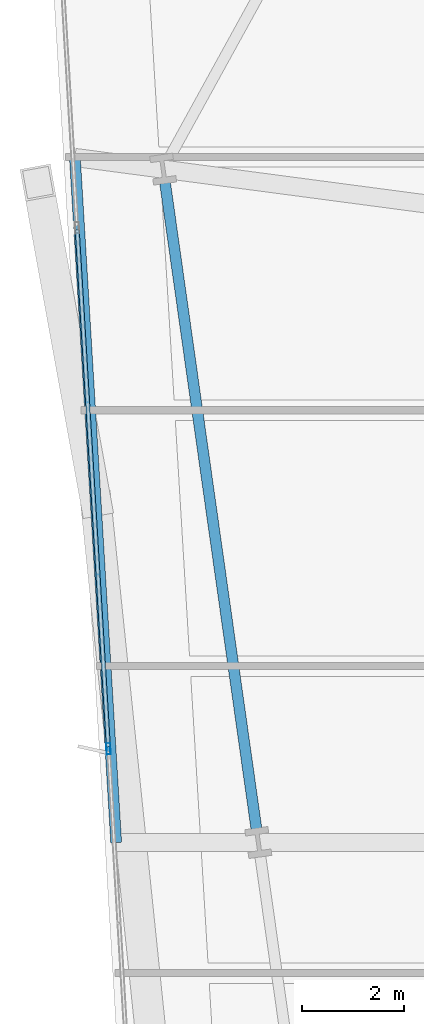
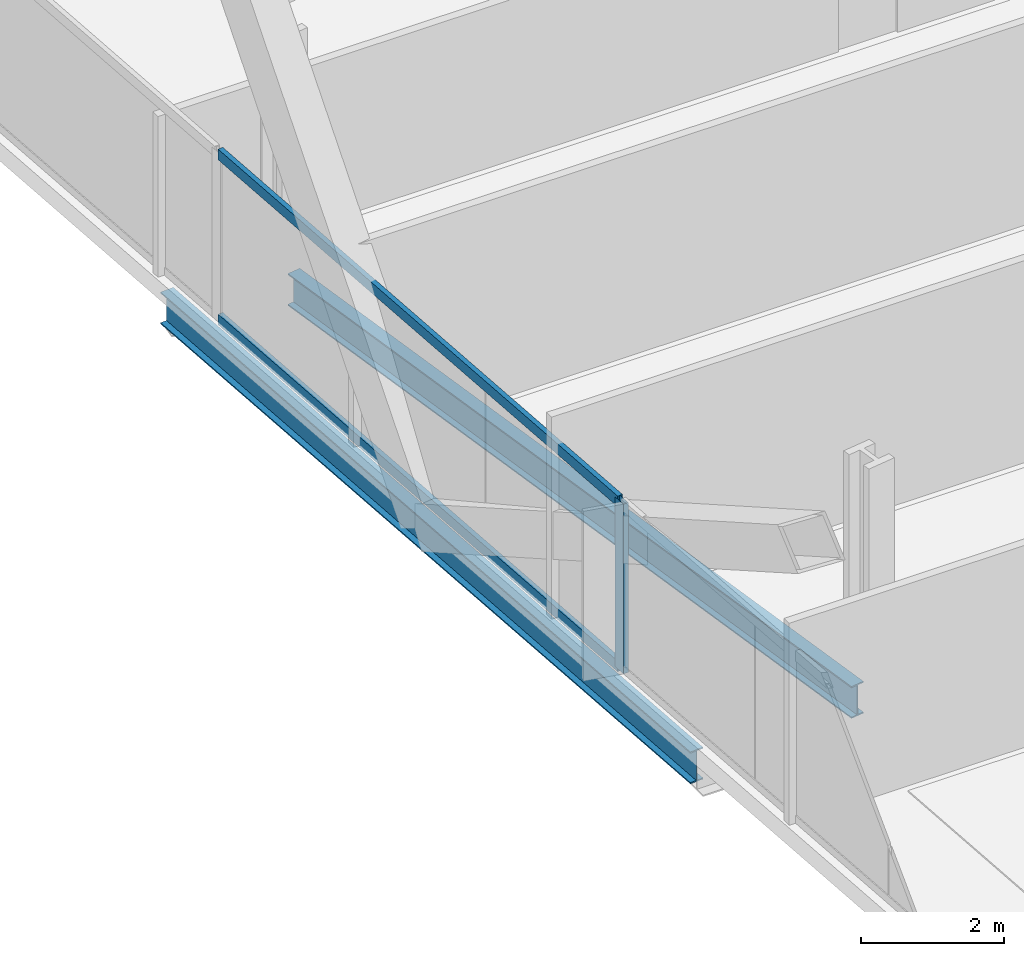
# One storey, part 7 of 34: 3 members, 2 beams, 1 element without a shape of its own.
"""IFC4 building model written with IfcOpenShell, lengths in metres."""

import ifcopenshell
import ifcopenshell.guid

model = None  # the IFC model being written
_history = None  # IfcOwnerHistory: only IFC2X3 demands one
_inside = {}  # id of a spatial element -> (the spatial element, [elements in it])
_under = {}  # id of a project, library or spatial element -> (it, [spatial elements below it])
_declared = {}  # id of a project -> (the project, [libraries it declares])
_typed = {}  # id of a type object -> (the type object, [elements of that type])
_made_of = {}  # id of a material, layer set ... -> (it, [elements and type objects made of it])


def new_model(schema):
    """Start an empty IFC model of exactly this schema.

    Asked for "IFC4X3", IfcOpenShell would pick the latest addendum, in which some entities
    have other attributes; the version numbers below select the first issue.
    IFC2X3 requires an IfcOwnerHistory on every rooted entity: one is made here for all.
    """
    global model, _history
    if schema == "IFC4X3":
        model = ifcopenshell.file(schema_version=(4, 3, 0, 0))
    else:
        model = ifcopenshell.file(schema=schema)
    _inside.clear()
    _under.clear()
    _declared.clear()
    _typed.clear()
    _made_of.clear()
    _history = None
    if model.schema == "IFC2X3":
        org = make("IfcOrganization", Name="unknown")
        user = make(
            "IfcPersonAndOrganization",
            ThePerson=make("IfcPerson", FamilyName="unknown"),
            TheOrganization=org,
        )
        app = make(
            "IfcApplication",
            ApplicationDeveloper=org,
            Version="unknown",
            ApplicationFullName="unknown",
            ApplicationIdentifier="unknown",
        )
        _history = make(
            "IfcOwnerHistory",
            OwningUser=user,
            OwningApplication=app,
            ChangeAction="ADDED",
            CreationDate=0,
        )
    return model


def make(cls, **values):
    """One entity of the class cls with the attributes given. An attribute that is None is left unset."""
    return model.create_entity(
        cls, **{name: value for name, value in values.items() if value is not None}
    )


def rooted(cls, **values):
    """An entity with a GlobalId (a new one), such as an element, a storey or a relation."""
    return make(cls, GlobalId=ifcopenshell.guid.new(), OwnerHistory=_history, **values)


def si_unit(unit_type, name, prefix=None):
    """IfcSIUnit, for example si_unit("LENGTHUNIT", "METRE", prefix="MILLI")."""
    return make("IfcSIUnit", UnitType=unit_type, Prefix=prefix, Name=name)


def assignment(units):
    """IfcUnitAssignment: the units of a project."""
    return None if units is None else make("IfcUnitAssignment", Units=units)


def point(xyz):
    """IfcCartesianPoint."""
    return None if xyz is None else make("IfcCartesianPoint", Coordinates=xyz)


def direction(xyz):
    """IfcDirection."""
    return None if xyz is None else make("IfcDirection", DirectionRatios=xyz)


def frame(location, z_axis=None, x_axis=None):
    """IfcAxis2Placement3D, a coordinate frame: its origin and axes. An axis left out is left unset."""
    return make(
        "IfcAxis2Placement3D",
        Location=point(location),
        Axis=direction(z_axis),
        RefDirection=direction(x_axis),
    )


def frame_2d(location, x_axis=None):
    """IfcAxis2Placement2D, a coordinate frame in the plane: its origin and x axis."""
    return make(
        "IfcAxis2Placement2D", Location=point(location), RefDirection=direction(x_axis)
    )


def origin():
    """The frame at (0, 0, 0) with its axes left unset."""
    return frame((0.0, 0.0, 0.0))


def origin_2d():
    """The frame at (0, 0) in the plane with its x axis left unset."""
    return frame_2d((0.0, 0.0))


def place(relative_to, where):
    """IfcLocalPlacement: puts the frame where relative to a parent placement (None: the world)."""
    return make(
        "IfcLocalPlacement", PlacementRelTo=relative_to, RelativePlacement=where
    )


def context(
    kind, dimensions, precision=None, world=None, true_north=None, identifier=None
):
    """IfcGeometricRepresentationContext, for example the 3D "Model" context."""
    return make(
        "IfcGeometricRepresentationContext",
        ContextIdentifier=identifier,
        ContextType=kind,
        CoordinateSpaceDimension=dimensions,
        Precision=precision,
        WorldCoordinateSystem=world,
        TrueNorth=true_north,
    )


def subcontext(parent, identifier, kind, view, scale=None):
    """IfcGeometricRepresentationSubContext, for example "Body" below "Model"."""
    return make(
        "IfcGeometricRepresentationSubContext",
        ContextIdentifier=identifier,
        ContextType=kind,
        ParentContext=parent,
        TargetScale=scale,
        TargetView=view,
    )


def project(units=None, contexts=None):
    """IfcProject with its units and contexts."""
    return rooted(
        "IfcProject",
        Name="project",
        RepresentationContexts=contexts,
        UnitsInContext=assignment(units),
    )


def spatial(cls, under=None, at=None, **own):
    """A site, building, storey or space (cls), placed at a placement, below another one or the project."""
    s = rooted(cls, ObjectPlacement=at, **own)
    if under is not None:
        _under.setdefault(under.id(), (under, []))[1].append(s)
    return s


def profile(cls, at=None, kind="AREA", **sizes):
    """A parametric profile (cls). Its sizes go by their IFC names, for example OverallWidth=200.0."""
    return make(cls, ProfileType=kind, Position=at, **sizes)


def hollow_rectangle(**sizes):
    """IfcRectangleHollowProfileDef."""
    return profile("IfcRectangleHollowProfileDef", **sizes)


def i_section(**sizes):
    """IfcIShapeProfileDef."""
    return profile("IfcIShapeProfileDef", **sizes)


def extrude(swept, where, along, depth):
    """IfcExtrudedAreaSolid: the profile swept, set in the frame where, extruded along a direction by depth."""
    return make(
        "IfcExtrudedAreaSolid",
        SweptArea=swept,
        Position=where,
        ExtrudedDirection=direction(along),
        Depth=depth,
    )


def shape(context_of_items, identifier, shape_type, items):
    """IfcShapeRepresentation: the items that make up one representation, for example the "Body"."""
    return make(
        "IfcShapeRepresentation",
        ContextOfItems=context_of_items,
        RepresentationIdentifier=identifier,
        RepresentationType=shape_type,
        Items=items,
    )


def material(Name=None, Category=None):
    """IfcMaterial."""
    return make("IfcMaterial", Name=Name, Category=Category)


def material_profile(
    of_material, cross_section, Name=None, Category=None, Priority=None
):
    """IfcMaterialProfile: a cross section and its material."""
    return make(
        "IfcMaterialProfile",
        Name=Name,
        Material=of_material,
        Profile=cross_section,
        Priority=Priority,
        Category=Category,
    )


def profile_set(profiles, Name=None, composite=None):
    """IfcMaterialProfileSet."""
    return make(
        "IfcMaterialProfileSet",
        Name=Name,
        MaterialProfiles=profiles,
        CompositeProfile=composite,
    )


def made_of(thing, what):
    """Note that an element or type object is made of a material, layer set ...; save() writes the relation."""
    if what is not None:
        _made_of.setdefault(what.id(), (what, []))[1].append(thing)
    return thing


def type_object(cls, material=None, **own):
    """A type object (cls), such as IfcWallType, which elements share."""
    return made_of(rooted(cls, **own), material)


def element(
    cls,
    number,
    at=None,
    inside=None,
    cuts=None,
    type_object=None,
    material=None,
    context=None,
    identifier="Body",
    shape_type=None,
    held_by="IfcProductDefinitionShape",
    body=None,
    shapes=None,
    **own,
):
    """One element of the class cls, such as IfcWall. Its Tag is "e" and its number.

    at: its placement. inside: the storey or other place that contains it. cuts: it is an
    opening in that element (IfcRelVoidsElement). A single representation is given by context,
    identifier, shape_type and body (its items); several are given by shapes. held_by: the class
    of the entity that holds the representations. save() writes the other relations.
    """
    e = rooted(cls, Tag="e%d" % number, ObjectPlacement=at, **own)
    if body is not None:
        shapes = [shape(context, identifier, shape_type, body)]
    if shapes is not None:
        e.Representation = make(held_by, Representations=shapes)
    if inside is not None:
        _inside.setdefault(inside.id(), (inside, []))[1].append(e)
    if cuts is not None:
        rooted(
            "IfcRelVoidsElement", RelatingBuildingElement=cuts, RelatedOpeningElement=e
        )
    if type_object is not None:
        _typed.setdefault(type_object.id(), (type_object, []))[1].append(e)
    return made_of(e, material)


def aggregate(whole, parts):
    """IfcRelAggregates: a whole, such as a stair, and the parts it consists of."""
    return rooted("IfcRelAggregates", RelatingObject=whole, RelatedObjects=parts)


def save(model, path):
    """Write the relations noted so far, then the file.

    IfcRelAggregates (storeys below a building ...), IfcRelContainedInSpatialStructure (elements
    in a storey), IfcRelDefinesByType, IfcRelAssociatesMaterial and IfcRelDeclares: one each for
    every whole, place, type object, material and project.
    """
    for whole, parts in _under.values():
        aggregate(whole, parts)
    for where, things in _inside.values():
        rooted(
            "IfcRelContainedInSpatialStructure",
            RelatedElements=things,
            RelatingStructure=where,
        )
    for kind, things in _typed.values():
        rooted("IfcRelDefinesByType", RelatedObjects=things, RelatingType=kind)
    for what, things in _made_of.values():
        rooted("IfcRelAssociatesMaterial", RelatedObjects=things, RelatingMaterial=what)
    for by, libraries in _declared.values():
        rooted("IfcRelDeclares", RelatingContext=by, RelatedDefinitions=libraries)
    model.write(path)


model = new_model("IFC4")

# Units and contexts
model_context = context("Model", 3, precision=1e-05, world=origin(), true_north=direction((0.0, 1.0)))
body_context = subcontext(model_context, "Body", "Model", "MODEL_VIEW")
ifc_project = project(units=[si_unit("LENGTHUNIT", "METRE"), si_unit("AREAUNIT", "SQUARE_METRE"), si_unit("VOLUMEUNIT", "CUBIC_METRE"), si_unit("PLANEANGLEUNIT", "RADIAN"), si_unit("MASSUNIT", "GRAM", prefix="KILO")], contexts=[model_context])

# Site, building, storey
site_placement = place(None, origin())
site = spatial("IfcSite", under=ifc_project, at=site_placement, CompositionType="ELEMENT")
building_placement = place(site_placement, origin())
building = spatial("IfcBuilding", under=site, at=building_placement, Name="Haldenkirk Collegiate Tower", CompositionType="ELEMENT")
storey_placement = place(building_placement, frame((0.0, 0.0, 40.199951171875)))
storey = spatial("IfcBuildingStorey", under=building, at=storey_placement, Name="L08", CompositionType="ELEMENT", Elevation=40.199951171875)

# Beams
ifc_material_1 = material(Name="Steel ASTM A992 Grade 50", Category="steel")
ifc_material_profile_1 = material_profile(ifc_material_1, i_section(OverallWidth=0.2119140625, OverallDepth=0.5439453125, WebThickness=0.01318359375, FlangeThickness=0.021240234375, at=origin_2d()), Name="W21X83")
ifc_profile_set_1 = profile_set([ifc_material_profile_1], Name="Steel ASTM A992 Grade 50")
beam_type = type_object("IfcBeamType", Name="BM-SPANDREL-W21X83", PredefinedType="SPANDREL", material=ifc_profile_set_1)
beam_1_placement = place(storey_placement, frame((10.30322265625, 35.951171875, -0.58203125), z_axis=(0.140049989419, -0.990144434143, 0.0), x_axis=(0.990144434143, 0.140049989419, 0.0)))
element("IfcBeam", 1, at=beam_1_placement, inside=storey, type_object=beam_type, Name="L08 perimeter spandrel beam 14", PredefinedType="SPANDREL", context=body_context, shape_type="SweptSolid", body=[
    extrude(i_section(OverallWidth=0.2119140625, OverallDepth=0.5439453125, WebThickness=0.01318359375, FlangeThickness=0.021240234375, at=origin_2d()), origin(), (0.0, 0.0, 1.0), 12.76220703125),
])
beam_2_placement = place(storey_placement, frame((8.5419921875, 36.44091796875, -0.58203125), z_axis=(0.060178498292, -0.998187631832, 0.0), x_axis=(0.998187631832, 0.060178498292, 0.0)))
element("IfcBeam", 2, at=beam_2_placement, inside=storey, type_object=beam_type, Name="L08 outer facade edge beam 4", PredefinedType="SPANDREL", context=body_context, shape_type="SweptSolid", body=[
    extrude(i_section(OverallWidth=0.2119140625, OverallDepth=0.5439453125, WebThickness=0.01318359375, FlangeThickness=0.021240234375, at=origin_2d()), origin(), (0.0, 0.0, 1.0), 13.412353515625),
])

# Curtain wall, members
ifc_material_2 = material(Name="Anodised architectural bronze aluminium", Category="aluminium")
curtain_wall_type = type_object("IfcCurtainWallType", Name="CW-SYS1-CONVEX-LOW", PredefinedType="USERDEFINED", material=ifc_material_2)
curtain_wall_placement = place(storey_placement, origin())
curtain_wall = element("IfcCurtainWall", 3, at=curtain_wall_placement, inside=storey, type_object=curtain_wall_type, Name="L08 Lower tower convex bronze-framed unitised curtain wall", ObjectType="UNITISED CURTAIN WALL", PredefinedType="USERDEFINED")
ifc_material_profile_2 = material_profile(ifc_material_2, hollow_rectangle(XDim=0.080078125, YDim=0.219970703125, WallThickness=0.0048828125, at=origin_2d()), Name="CW-MUL-1A")
ifc_profile_set_2 = profile_set([ifc_material_profile_2], Name="Anodised architectural bronze aluminium")
member_type_1 = type_object("IfcMemberType", Name="CW-MUL-1A", PredefinedType="MULLION", material=ifc_profile_set_2)
member_1_placement = place(storey_placement, frame((9.198486328125, 24.885009765625, 0.0), z_axis=(0.0, 0.0, 1.0), x_axis=(-0.99818789594, -0.06017411735, 0.0)))
member_1 = element("IfcMember", 4, at=member_1_placement, type_object=member_type_1, Name="CW-1A mullion 3", PredefinedType="MULLION", context=body_context, shape_type="SweptSolid", body=[
    extrude(hollow_rectangle(XDim=0.080078125, YDim=0.219970703125, WallThickness=0.0048828125, at=origin_2d()), origin(), (0.0, 0.0, 1.0), 2.89111328125),
])
ifc_material_profile_3 = material_profile(ifc_material_2, hollow_rectangle(XDim=0.080078125, YDim=0.179931640625, WallThickness=0.0048828125, at=origin_2d()), Name="CW-TRN-1A")
ifc_profile_set_3 = profile_set([ifc_material_profile_3], Name="Anodised architectural bronze aluminium")
member_type_2 = type_object("IfcMemberType", Name="CW-TRN-1A", PredefinedType="USERDEFINED", material=ifc_profile_set_3)
member_2_placement = place(storey_placement, frame((9.196044921875, 24.925048828125, 0.0400390625), z_axis=(-0.060167286336, 0.998188307713, 0.0), x_axis=(-0.998188307713, -0.060167286336, 0.0)))
member_2 = element("IfcMember", 5, at=member_2_placement, type_object=member_type_2, Name="CW-1A transom 3.1", ObjectType="TRANSOM", PredefinedType="USERDEFINED", context=body_context, shape_type="SweptSolid", body=[
    extrude(hollow_rectangle(XDim=0.080078125, YDim=0.179931640625, WallThickness=0.0048828125, at=origin_2d()), origin(), (0.0, 0.0, 1.0), 10.119873046875),
])
member_3_placement = place(storey_placement, frame((9.196044921875, 24.925048828125, 2.85107421875), z_axis=(-0.060167286336, 0.998188307713, 0.0), x_axis=(-0.998188307713, -0.060167286336, 0.0)))
member_3 = element("IfcMember", 6, at=member_3_placement, type_object=member_type_2, Name="CW-1A transom 3.2", ObjectType="TRANSOM", PredefinedType="USERDEFINED", context=body_context, shape_type="SweptSolid", body=[
    extrude(hollow_rectangle(XDim=0.080078125, YDim=0.179931640625, WallThickness=0.0048828125, at=origin_2d()), origin(), (0.0, 0.0, 1.0), 10.119873046875),
])
aggregate(curtain_wall, [member_1, member_2, member_3])

save(model, "model.ifc")
